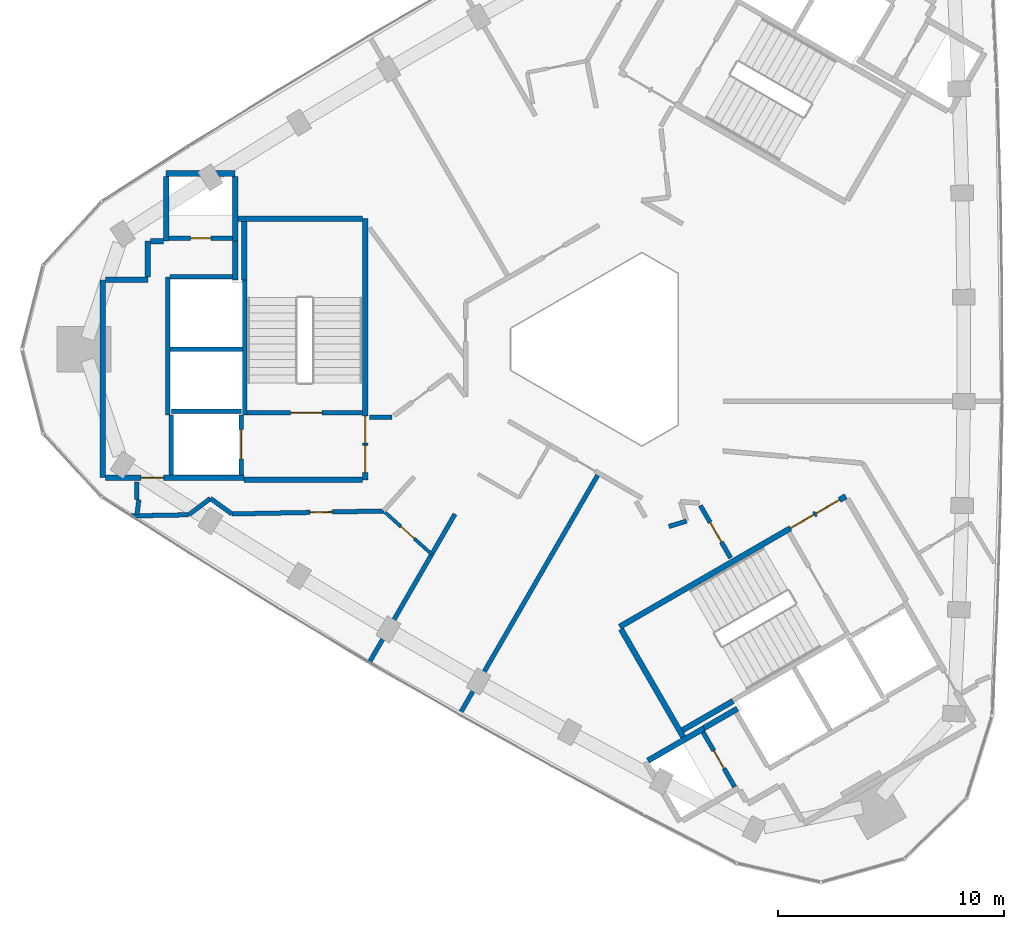
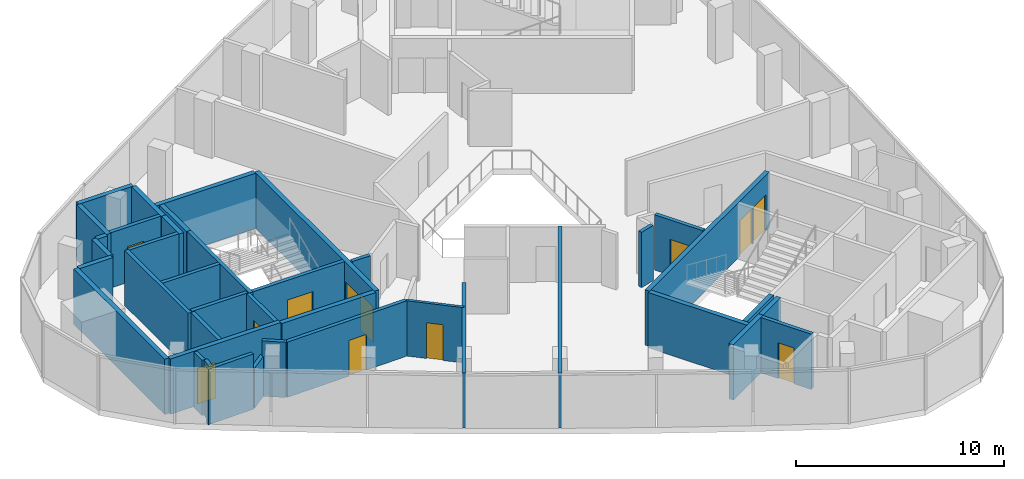
# One storey, part 6 of 10: 40 walls, 12 doors, 12 openings.
"""IFC4 building model written with IfcOpenShell, lengths in metres."""

from ifc_helpers import new_model, si_unit, direction, frame, frame_2d, origin, place, context, subcontext, project, spatial, rectangle, extrude, material, layer, layer_set, type_object, element, fill, save


model = new_model("IFC4")

# Units and contexts
model_context = context("Model", 3, precision=1e-05, world=origin(), true_north=direction((0.0, 1.0)))
body_context = subcontext(model_context, "Body", "Model", "MODEL_VIEW")
ifc_project = project(units=[si_unit("LENGTHUNIT", "METRE"), si_unit("AREAUNIT", "SQUARE_METRE"), si_unit("VOLUMEUNIT", "CUBIC_METRE"), si_unit("PLANEANGLEUNIT", "RADIAN"), si_unit("MASSUNIT", "GRAM", prefix="KILO")], contexts=[model_context])

# Site, building, storey
site_placement = place(None, origin())
site = spatial("IfcSite", under=ifc_project, at=site_placement, CompositionType="ELEMENT")
building_placement = place(site_placement, origin())
building = spatial("IfcBuilding", under=site, at=building_placement, Name="Tamra Quay Hotel Tower", CompositionType="ELEMENT")
storey_placement = place(building_placement, frame((0.0, 0.0, 294.60009765625)))
storey = spatial("IfcBuildingStorey", under=building, at=storey_placement, Name="L74", CompositionType="ELEMENT", Elevation=294.60009765625)

# Walls
ifc_material_1 = material(Name="Concrete M70", Category="concrete")
ifc_layer_1 = layer(ifc_material_1, 0.199951171875)
ifc_layer_set_1 = layer_set([ifc_layer_1], Name="Concrete M70 core wall 200")
wall_type_1 = type_object("IfcWallType", Name="Concrete M70 core wall 200", PredefinedType="SHEAR", material=ifc_layer_set_1)
wall_1_placement = place(storey_placement, frame((-16.162109375, 3.073974609375, 0.0), z_axis=(0.0, 0.0, 1.0), x_axis=(0.0, -1.0, 0.0)))
element("IfcWall", 1, at=wall_1_placement, inside=storey, type_object=wall_type_1, Name="CW2", PredefinedType="SHEAR", context=body_context, shape_type="SweptSolid", body=[
    extrude(rectangle(XDim=5.97412109375, YDim=0.199951171875, at=frame_2d((2.987060546875, 0.0))), origin(), (0.0, 0.0, 1.0), 3.25),
])
wall_2_placement = place(storey_placement, frame((-19.5625, -2.900146484375, 0.0), z_axis=(0.0, 0.0, 1.0), x_axis=(0.0, 1.0, 0.0)))
element("IfcWall", 2, at=wall_2_placement, inside=storey, type_object=wall_type_1, Name="CW2", PredefinedType="SHEAR", context=body_context, shape_type="SweptSolid", body=[
    extrude(rectangle(XDim=6.100341796875, YDim=0.199951171875, at=frame_2d((3.05029296875, 0.0))), origin(), (0.0, 0.0, 1.0), 3.25),
])

# Wall, opening, door
wall_3_placement = place(storey_placement, frame((-10.96337890625, -2.800048828125, 0.0), z_axis=(0.0, 0.0, 1.0), x_axis=(-1.0, 0.0, 0.0)))
wall_3 = element("IfcWall", 3, at=wall_3_placement, inside=storey, type_object=wall_type_1, Name="CW2", PredefinedType="SHEAR", context=body_context, shape_type="SweptSolid", body=[
    extrude(rectangle(XDim=5.097900390625, YDim=0.199951171875, at=frame_2d((2.548828125, 0.0))), origin(), (0.0, 0.0, 1.0), 3.25),
])
opening_1_placement = place(wall_3_placement, frame((1.77392578125, 0.0, 0.0)))
opening_1 = element("IfcOpeningElement", 4, at=opening_1_placement, cuts=wall_3, Name="Opening FD2", PredefinedType="OPENING", context=body_context, shape_type="SweptSolid", body=[
    extrude(rectangle(XDim=1.39990234375, YDim=2.10009765625, at=frame_2d((0.699951171875, 1.050048828125))), frame((0.0, 0.10986328125, 0.0), z_axis=(0.0, -1.0, 0.0), x_axis=(1.0, 0.0, 0.0)), (0.0, 0.0, 1.0), 0.219970703125),
])
ifc_material_2 = material(Name="Core door FD2 1400x2100 RH")
door_type_1 = type_object("IfcDoorType", Name="Core door FD2 1400x2100 RH", OperationType="NOTDEFINED", PredefinedType="DOOR", material=ifc_material_2)
door_1_placement = place(opening_1_placement, origin())
door_1 = element("IfcDoor", 5, at=door_1_placement, inside=storey, type_object=door_type_1, Name="FD2", OperationType="SINGLE_SWING_RIGHT", OverallHeight=2.10009765625, OverallWidth=1.39990234375, PredefinedType="DOOR", context=body_context, shape_type="SweptSolid", body=[
    extrude(rectangle(XDim=1.39990234375, YDim=2.10009765625, at=frame_2d((0.699951171875, 1.050048828125))), frame((0.0, 0.02490234375, 0.0), z_axis=(0.0, -1.0, 0.0), x_axis=(1.0, 0.0, 0.0)), (0.0, 0.0, 1.0), 0.050048828125),
])
fill(opening_1, door_1)

# Wall
wall_4_placement = place(storey_placement, frame((-16.26318359375, 0.0, 0.0), z_axis=(0.0, 0.0, 1.0), x_axis=(-1.0, 0.0, 0.0)))
element("IfcWall", 6, at=wall_4_placement, inside=storey, type_object=wall_type_1, Name="CW2", PredefinedType="SHEAR", context=body_context, shape_type="SweptSolid", body=[
    extrude(rectangle(XDim=3.1982421875, YDim=0.199951171875, at=frame_2d((1.59912109375, 0.0))), origin(), (0.0, 0.0, 1.0), 3.25),
])

# Wall, opening, door
wall_5_placement = place(storey_placement, frame((-19.51123046875, 4.91015625, 0.0), z_axis=(0.0, 0.0, 1.0), x_axis=(1.0, 0.0, 0.0)))
wall_5 = element("IfcWall", 7, at=wall_5_placement, inside=storey, type_object=wall_type_1, Name="CW2", PredefinedType="SHEAR", context=body_context, shape_type="SweptSolid", body=[
    extrude(rectangle(XDim=2.7978515625, YDim=0.199951171875, at=frame_2d((1.39892578125, 0.0))), origin(), (0.0, 0.0, 1.0), 3.25),
])
opening_2_placement = place(wall_5_placement, frame((0.948974609375, 0.0, 0.0)))
opening_2 = element("IfcOpeningElement", 8, at=opening_2_placement, cuts=wall_5, Name="Opening D1", PredefinedType="OPENING", context=body_context, shape_type="SweptSolid", body=[
    extrude(rectangle(XDim=0.89990234375, YDim=2.10009765625, at=frame_2d((0.449951171875, 1.050048828125))), frame((0.0, 0.10986328125, 0.0), z_axis=(0.0, -1.0, 0.0), x_axis=(1.0, 0.0, 0.0)), (0.0, 0.0, 1.0), 0.219970703125),
])
ifc_material_3 = material(Name="Core door D1 900x2100 LH")
door_type_2 = type_object("IfcDoorType", Name="Core door D1 900x2100 LH", OperationType="NOTDEFINED", PredefinedType="DOOR", material=ifc_material_3)
door_2_placement = place(opening_2_placement, origin())
door_2 = element("IfcDoor", 9, at=door_2_placement, inside=storey, type_object=door_type_2, Name="D1", OperationType="SINGLE_SWING_LEFT", OverallHeight=2.10009765625, OverallWidth=0.89990234375, PredefinedType="DOOR", context=body_context, shape_type="SweptSolid", body=[
    extrude(rectangle(XDim=0.89990234375, YDim=2.10009765625, at=frame_2d((0.449951171875, 1.050048828125))), frame((0.0, 0.02490234375, 0.0), z_axis=(0.0, -1.0, 0.0), x_axis=(1.0, 0.0, 0.0)), (0.0, 0.0, 1.0), 0.050048828125),
])
fill(opening_2, door_2)

# Walls
wall_6_placement = place(storey_placement, frame((-19.46240234375, 3.2001953125, 0.0), z_axis=(0.0, 0.0, 1.0), x_axis=(1.0, 0.0, 0.0)))
element("IfcWall", 10, at=wall_6_placement, inside=storey, type_object=wall_type_1, Name="CW2", PredefinedType="SHEAR", context=body_context, shape_type="SweptSolid", body=[
    extrude(rectangle(XDim=2.759033203125, YDim=0.199951171875, at=frame_2d((1.37939453125, 0.0))), origin(), (0.0, 0.0, 1.0), 3.25),
])
wall_7_placement = place(storey_placement, frame((-19.412353515625, -2.75, 0.0), z_axis=(0.0, 0.0, 1.0), x_axis=(1.0, 0.0, 0.0)))
element("IfcWall", 11, at=wall_7_placement, inside=storey, type_object=wall_type_1, Name="CW2", PredefinedType="SHEAR", context=body_context, shape_type="SweptSolid", body=[
    extrude(rectangle(XDim=3.10009765625, YDim=0.199951171875, at=frame_2d((1.550048828125, 0.0))), origin(), (0.0, 0.0, 1.0), 3.25),
])

# Wall, opening, door
wall_8_placement = place(storey_placement, frame((-16.312255859375, -2.898193359375, 0.0), z_axis=(0.0, 0.0, 1.0), x_axis=(0.0, -1.0, 0.0)))
wall_8 = element("IfcWall", 12, at=wall_8_placement, inside=storey, type_object=wall_type_1, Name="CW2", PredefinedType="SHEAR", context=body_context, shape_type="SweptSolid", body=[
    extrude(rectangle(XDim=2.65087890625, YDim=0.199951171875, at=frame_2d((1.325439453125, 0.0))), origin(), (0.0, 0.0, 1.0), 3.25),
])
opening_3_placement = place(wall_8_placement, frame((0.65185546875, 0.0, 0.0)))
opening_3 = element("IfcOpeningElement", 13, at=opening_3_placement, cuts=wall_8, Name="Opening LD", PredefinedType="OPENING", context=body_context, shape_type="SweptSolid", body=[
    extrude(rectangle(XDim=1.300048828125, YDim=2.10009765625, at=frame_2d((0.64990234375, 1.050048828125))), frame((0.0, 0.10986328125, 0.0), z_axis=(0.0, -1.0, 0.0), x_axis=(1.0, 0.0, 0.0)), (0.0, 0.0, 1.0), 0.219970703125),
])
ifc_material_4 = material(Name="Landing door LD 1300 sliding to right")
door_type_3 = type_object("IfcDoorType", Name="Landing door LD 1300 sliding to right", OperationType="NOTDEFINED", PredefinedType="DOOR", material=ifc_material_4)
door_3_placement = place(opening_3_placement, origin())
door_3 = element("IfcDoor", 14, at=door_3_placement, inside=storey, type_object=door_type_3, Name="LD", OperationType="SLIDING_TO_RIGHT", OverallHeight=2.10009765625, OverallWidth=1.300048828125, PredefinedType="DOOR", context=body_context, shape_type="SweptSolid", body=[
    extrude(rectangle(XDim=1.300048828125, YDim=2.10009765625, at=frame_2d((0.64990234375, 1.050048828125))), frame((0.0, 0.02490234375, 0.0), z_axis=(0.0, -1.0, 0.0), x_axis=(1.0, 0.0, 0.0)), (0.0, 0.0, 1.0), 0.050048828125),
])
fill(opening_3, door_3)

# Wall
wall_9_placement = place(storey_placement, frame((-19.412353515625, -5.549072265625, 0.0), z_axis=(0.0, 0.0, 1.0), x_axis=(0.0, 1.0, 0.0)))
element("IfcWall", 15, at=wall_9_placement, inside=storey, type_object=wall_type_1, Name="CW2", PredefinedType="SHEAR", context=body_context, shape_type="SweptSolid", body=[
    extrude(rectangle(XDim=2.65087890625, YDim=0.199951171875, at=frame_2d((1.325439453125, 0.0))), origin(), (0.0, 0.0, 1.0), 3.25),
])

# Wall, opening, door
wall_10_placement = place(storey_placement, frame((5.50341796875, -19.352294921875, 0.0), z_axis=(0.0, 0.0, 1.0), x_axis=(-0.499986818241, 0.866033014143, 0.0)))
wall_10 = element("IfcWall", 16, at=wall_10_placement, inside=storey, type_object=wall_type_1, Name="CW2", PredefinedType="SHEAR", context=body_context, shape_type="SweptSolid", body=[
    extrude(rectangle(XDim=2.7978515625, YDim=0.199951171875, at=frame_2d((1.39892578125, 0.0))), origin(), (0.0, 0.0, 1.0), 3.25),
])
opening_4_placement = place(wall_10_placement, frame((0.948974609375, 0.0, 0.0)))
opening_4 = element("IfcOpeningElement", 17, at=opening_4_placement, cuts=wall_10, Name="Opening D1", PredefinedType="OPENING", context=body_context, shape_type="SweptSolid", body=[
    extrude(rectangle(XDim=0.89990234375, YDim=2.10009765625, at=frame_2d((0.449951171875, 1.050048828125))), frame((0.0, 0.10986328125, 0.0), z_axis=(0.0, -1.0, 0.0), x_axis=(1.0, 0.0, 0.0)), (0.0, 0.0, 1.0), 0.219970703125),
])
ifc_material_5 = material(Name="Core door D1 900x2100 RH")
door_type_4 = type_object("IfcDoorType", Name="Core door D1 900x2100 RH", OperationType="NOTDEFINED", PredefinedType="DOOR", material=ifc_material_5)
door_4_placement = place(opening_4_placement, origin())
door_4 = element("IfcDoor", 18, at=door_4_placement, inside=storey, type_object=door_type_4, Name="D1", OperationType="SINGLE_SWING_RIGHT", OverallHeight=2.10009765625, OverallWidth=0.89990234375, PredefinedType="DOOR", context=body_context, shape_type="SweptSolid", body=[
    extrude(rectangle(XDim=0.89990234375, YDim=2.10009765625, at=frame_2d((0.449951171875, 1.050048828125))), frame((0.0, 0.02490234375, 0.0), z_axis=(0.0, -1.0, 0.0), x_axis=(1.0, 0.0, 0.0)), (0.0, 0.0, 1.0), 0.050048828125),
])
fill(opening_4, door_4)

# Wall, openings, doors
ifc_layer_2 = layer(ifc_material_1, 0.25)
ifc_layer_set_2 = layer_set([ifc_layer_2], Name="Concrete M70 core wall 250")
wall_type_2 = type_object("IfcWallType", Name="Concrete M70 core wall 250", PredefinedType="SHEAR", material=ifc_layer_set_2)
wall_11_placement = place(storey_placement, frame((-10.83740234375, 5.77490234375, 0.0), z_axis=(0.0, 0.0, 1.0), x_axis=(0.0, -1.0, 0.0)))
wall_11 = element("IfcWall", 19, at=wall_11_placement, inside=storey, type_object=wall_type_2, Name="CW1", PredefinedType="SHEAR", context=body_context, shape_type="SweptSolid", body=[
    extrude(rectangle(XDim=11.5498046875, YDim=0.25, at=frame_2d((5.77490234375, 0.0))), origin(), (0.0, 0.0, 1.0), 3.25),
])
opening_5_placement = place(wall_11_placement, frame((10.02490234375, 0.0, 0.0)))
opening_5 = element("IfcOpeningElement", 20, at=opening_5_placement, cuts=wall_11, Name="Opening FD1", PredefinedType="OPENING", context=body_context, shape_type="SweptSolid", body=[
    extrude(rectangle(XDim=1.199951171875, YDim=2.10009765625, at=frame_2d((0.60009765625, 1.050048828125))), frame((0.0, 0.135009765625, 0.0), z_axis=(0.0, -1.0, 0.0), x_axis=(1.0, 0.0, 0.0)), (0.0, 0.0, 1.0), 0.27001953125),
])
opening_6_placement = place(wall_11_placement, frame((8.72509765625, 0.0, 0.0)))
opening_6 = element("IfcOpeningElement", 21, at=opening_6_placement, cuts=wall_11, Name="Opening FD1", PredefinedType="OPENING", context=body_context, shape_type="SweptSolid", body=[
    extrude(rectangle(XDim=1.199951171875, YDim=2.10009765625, at=frame_2d((0.60009765625, 1.050048828125))), frame((0.0, 0.135009765625, 0.0), z_axis=(0.0, -1.0, 0.0), x_axis=(1.0, 0.0, 0.0)), (0.0, 0.0, 1.0), 0.27001953125),
])
ifc_material_6 = material(Name="Core door FD1 1200x2100 LH")
door_type_5 = type_object("IfcDoorType", Name="Core door FD1 1200x2100 LH", OperationType="NOTDEFINED", PredefinedType="DOOR", material=ifc_material_6)
door_5_placement = place(opening_5_placement, origin())
door_5 = element("IfcDoor", 22, at=door_5_placement, inside=storey, type_object=door_type_5, Name="FD1", OperationType="SINGLE_SWING_LEFT", OverallHeight=2.10009765625, OverallWidth=1.199951171875, PredefinedType="DOOR", context=body_context, shape_type="SweptSolid", body=[
    extrude(rectangle(XDim=1.199951171875, YDim=2.10009765625, at=frame_2d((0.60009765625, 1.050048828125))), frame((0.0, 0.02490234375, 0.0), z_axis=(0.0, -1.0, 0.0), x_axis=(1.0, 0.0, 0.0)), (0.0, 0.0, 1.0), 0.050048828125),
])
fill(opening_5, door_5)
ifc_material_7 = material(Name="Core door FD1 1200x2100 RH")
door_type_6 = type_object("IfcDoorType", Name="Core door FD1 1200x2100 RH", OperationType="NOTDEFINED", PredefinedType="DOOR", material=ifc_material_7)
door_6_placement = place(opening_6_placement, origin())
door_6 = element("IfcDoor", 23, at=door_6_placement, inside=storey, type_object=door_type_6, Name="FD1", OperationType="SINGLE_SWING_RIGHT", OverallHeight=2.10009765625, OverallWidth=1.199951171875, PredefinedType="DOOR", context=body_context, shape_type="SweptSolid", body=[
    extrude(rectangle(XDim=1.199951171875, YDim=2.10009765625, at=frame_2d((0.60009765625, 1.050048828125))), frame((0.0, 0.02490234375, 0.0), z_axis=(0.0, -1.0, 0.0), x_axis=(1.0, 0.0, 0.0)), (0.0, 0.0, 1.0), 0.050048828125),
])
fill(opening_6, door_6)

# Wall
wall_12_placement = place(storey_placement, frame((-22.437255859375, -5.675048828125, 0.0), z_axis=(0.0, 0.0, 1.0), x_axis=(0.0, 1.0, 0.0)))
element("IfcWall", 24, at=wall_12_placement, inside=storey, type_object=wall_type_2, Name="CW1", PredefinedType="SHEAR", context=body_context, shape_type="SweptSolid", body=[
    extrude(rectangle(XDim=8.75, YDim=0.25, at=frame_2d((4.375, 0.0))), origin(), (0.0, 0.0, 1.0), 3.25),
])

# Wall, opening, door
wall_13_placement = place(storey_placement, frame((-16.187255859375, -5.675048828125, 0.0), z_axis=(0.0, 0.0, 1.0), x_axis=(-1.0, 0.0, 0.0)))
wall_13 = element("IfcWall", 25, at=wall_13_placement, inside=storey, type_object=wall_type_2, Name="CW1", PredefinedType="SHEAR", context=body_context, shape_type="SweptSolid", body=[
    extrude(rectangle(XDim=6.12451171875, YDim=0.25, at=frame_2d((3.062255859375, 0.0))), origin(), (0.0, 0.0, 1.0), 3.25),
])
opening_7_placement = place(wall_13_placement, frame((3.562744140625, 0.0, 0.0)))
opening_7 = element("IfcOpeningElement", 26, at=opening_7_placement, cuts=wall_13, Name="Opening FD3", PredefinedType="OPENING", context=body_context, shape_type="SweptSolid", body=[
    extrude(rectangle(XDim=1.0, YDim=2.10009765625, at=frame_2d((0.5, 1.050048828125))), frame((0.0, 0.135009765625, 0.0), z_axis=(0.0, -1.0, 0.0), x_axis=(1.0, 0.0, 0.0)), (0.0, 0.0, 1.0), 0.27001953125),
])
ifc_material_8 = material(Name="Core door FD3 1000x2100 LH")
door_type_7 = type_object("IfcDoorType", Name="Core door FD3 1000x2100 LH", OperationType="NOTDEFINED", PredefinedType="DOOR", material=ifc_material_8)
door_7_placement = place(opening_7_placement, origin())
door_7 = element("IfcDoor", 27, at=door_7_placement, inside=storey, type_object=door_type_7, Name="FD3", OperationType="SINGLE_SWING_LEFT", OverallHeight=2.10009765625, OverallWidth=1.0, PredefinedType="DOOR", context=body_context, shape_type="SweptSolid", body=[
    extrude(rectangle(XDim=1.0, YDim=2.10009765625, at=frame_2d((0.5, 1.050048828125))), frame((0.0, 0.02490234375, 0.0), z_axis=(0.0, -1.0, 0.0), x_axis=(1.0, 0.0, 0.0)), (0.0, 0.0, 1.0), 0.050048828125),
])
fill(opening_7, door_7)

# Walls
wall_14_placement = place(storey_placement, frame((-10.962646484375, -5.77490234375, 0.0), z_axis=(0.0, 0.0, 1.0), x_axis=(-1.0, 0.0, 0.0)))
element("IfcWall", 28, at=wall_14_placement, inside=storey, type_object=wall_type_2, Name="CW1", PredefinedType="SHEAR", context=body_context, shape_type="SweptSolid", body=[
    extrude(rectangle(XDim=5.224609375, YDim=0.25, at=frame_2d((2.6123046875, 0.0))), origin(), (0.0, 0.0, 1.0), 3.25),
])
wall_15_placement = place(storey_placement, frame((-16.47216796875, 5.77490234375, 0.0), z_axis=(0.0, 0.0, 1.0), x_axis=(1.0, 0.0, 0.0)))
element("IfcWall", 29, at=wall_15_placement, inside=storey, type_object=wall_type_2, Name="CW1", PredefinedType="SHEAR", context=body_context, shape_type="SweptSolid", body=[
    extrude(rectangle(XDim=5.509521484375, YDim=0.25, at=frame_2d((2.7548828125, 0.0))), origin(), (0.0, 0.0, 1.0), 3.25),
])
wall_16_placement = place(storey_placement, frame((-19.63720703125, 7.77490234375, 0.0), z_axis=(0.0, 0.0, 1.0), x_axis=(1.0, 0.0, 0.0)))
element("IfcWall", 30, at=wall_16_placement, inside=storey, type_object=wall_type_2, Name="CW1", PredefinedType="SHEAR", context=body_context, shape_type="SweptSolid", body=[
    extrude(rectangle(XDim=3.0498046875, YDim=0.25, at=frame_2d((1.52490234375, 0.0))), origin(), (0.0, 0.0, 1.0), 3.25),
])
for number, where, z_axis, x_axis, name in (
    (31, (-16.58740234375, 7.649658203125, 0.0), (0.0, 0.0, 1.0), (0.0, -1.0, 0.0), "CW1"),
    (32, (-19.63720703125, 4.784912109375, 0.0), (0.0, 0.0, 1.0), (0.0, 1.0, 0.0), "CW1"),
):
    element("IfcWall", number, at=place(storey_placement, frame(where, z_axis=z_axis, x_axis=x_axis)), inside=storey, type_object=wall_type_2, Name=name, PredefinedType="SHEAR", context=body_context, shape_type="SweptSolid", body=[
        extrude(rectangle(XDim=2.86474609375, YDim=0.25, at=frame_2d((1.432373046875, 0.0))), origin(), (0.0, 0.0, 1.0), 3.25),
    ])
wall_17_placement = place(storey_placement, frame((-16.187255859375, 3.074951171875, 0.0), z_axis=(0.0, 0.0, 1.0), x_axis=(0.0, 1.0, 0.0)))
element("IfcWall", 33, at=wall_17_placement, inside=storey, type_object=wall_type_2, Name="CW1", PredefinedType="SHEAR", context=body_context, shape_type="SweptSolid", body=[
    extrude(rectangle(XDim=2.57470703125, YDim=0.25, at=frame_2d((1.287353515625, 0.0))), origin(), (0.0, 0.0, 1.0), 3.25),
])
wall_18_placement = place(storey_placement, frame((-22.311767578125, 3.074951171875, 0.0), z_axis=(0.0, 0.0, 1.0), x_axis=(1.0, 0.0, 0.0)))
element("IfcWall", 34, at=wall_18_placement, inside=storey, type_object=wall_type_2, Name="CW1", PredefinedType="SHEAR", context=body_context, shape_type="SweptSolid", body=[
    extrude(rectangle(XDim=1.864501953125, YDim=0.25, at=frame_2d((0.93212890625, 0.0))), origin(), (0.0, 0.0, 1.0), 3.25),
])
wall_19_placement = place(storey_placement, frame((-16.577392578125, 4.784912109375, 0.0), z_axis=(0.0, 0.0, 1.0), x_axis=(0.0, -1.0, 0.0)))
element("IfcWall", 35, at=wall_19_placement, inside=storey, type_object=wall_type_2, Name="CW1", PredefinedType="SHEAR", context=body_context, shape_type="SweptSolid", body=[
    extrude(rectangle(XDim=1.7099609375, YDim=0.25, at=frame_2d((0.85498046875, 0.0))), origin(), (0.0, 0.0, 1.0), 3.25),
])
wall_20_placement = place(storey_placement, frame((-20.447265625, 3.200439453125, 0.0), z_axis=(0.0, 0.0, 1.0), x_axis=(0.0, 1.0, 0.0)))
element("IfcWall", 36, at=wall_20_placement, inside=storey, type_object=wall_type_2, Name="CW1", PredefinedType="SHEAR", context=body_context, shape_type="SweptSolid", body=[
    extrude(rectangle(XDim=1.58447265625, YDim=0.25, at=frame_2d((0.792236328125, 0.0))), origin(), (0.0, 0.0, 1.0), 3.25),
])
wall_21_placement = place(storey_placement, frame((-20.32177734375, 4.784912109375, 0.0), z_axis=(0.0, 0.0, 1.0), x_axis=(1.0, 0.0, 0.0)))
element("IfcWall", 37, at=wall_21_placement, inside=storey, type_object=wall_type_2, Name="CW1", PredefinedType="SHEAR", context=body_context, shape_type="SweptSolid", body=[
    extrude(rectangle(XDim=0.55908203125, YDim=0.25, at=frame_2d((0.279541015625, 0.0))), origin(), (0.0, 0.0, 1.0), 3.25),
])

# Wall, openings, doors
wall_22_placement = place(storey_placement, frame((0.417236328125, -12.27294921875, 0.0), z_axis=(0.0, 0.0, 1.0), x_axis=(0.866021906294, 0.500006057782, 0.0)))
wall_22 = element("IfcWall", 38, at=wall_22_placement, inside=storey, type_object=wall_type_2, Name="CW1", PredefinedType="SHEAR", context=body_context, shape_type="SweptSolid", body=[
    extrude(rectangle(XDim=11.550048828125, YDim=0.25, at=frame_2d((5.77490234375, 0.0))), origin(), (0.0, 0.0, 1.0), 3.25),
])
opening_8_placement = place(wall_22_placement, frame((10.024658203125, 0.0, 0.0)))
opening_8 = element("IfcOpeningElement", 39, at=opening_8_placement, cuts=wall_22, Name="Opening FD1", PredefinedType="OPENING", context=body_context, shape_type="SweptSolid", body=[
    extrude(rectangle(XDim=1.199951171875, YDim=2.10009765625, at=frame_2d((0.60009765625, 1.050048828125))), frame((0.0, 0.135009765625, 0.0), z_axis=(0.0, -1.0, 0.0), x_axis=(1.0, 0.0, 0.0)), (0.0, 0.0, 1.0), 0.27001953125),
])
opening_9_placement = place(wall_22_placement, frame((8.724609375, 0.0, 0.0)))
opening_9 = element("IfcOpeningElement", 40, at=opening_9_placement, cuts=wall_22, Name="Opening FD1", PredefinedType="OPENING", context=body_context, shape_type="SweptSolid", body=[
    extrude(rectangle(XDim=1.199951171875, YDim=2.10009765625, at=frame_2d((0.60009765625, 1.050048828125))), frame((0.0, 0.135009765625, 0.0), z_axis=(0.0, -1.0, 0.0), x_axis=(1.0, 0.0, 0.0)), (0.0, 0.0, 1.0), 0.27001953125),
])
door_8_placement = place(opening_8_placement, origin())
door_8 = element("IfcDoor", 41, at=door_8_placement, inside=storey, type_object=door_type_5, Name="FD1", OperationType="SINGLE_SWING_LEFT", OverallHeight=2.10009765625, OverallWidth=1.199951171875, PredefinedType="DOOR", context=body_context, shape_type="SweptSolid", body=[
    extrude(rectangle(XDim=1.199951171875, YDim=2.10009765625, at=frame_2d((0.60009765625, 1.050048828125))), frame((0.0, 0.02490234375, 0.0), z_axis=(0.0, -1.0, 0.0), x_axis=(1.0, 0.0, 0.0)), (0.0, 0.0, 1.0), 0.050048828125),
])
fill(opening_8, door_8)
door_9_placement = place(opening_9_placement, origin())
door_9 = element("IfcDoor", 42, at=door_9_placement, inside=storey, type_object=door_type_6, Name="FD1", OperationType="SINGLE_SWING_RIGHT", OverallHeight=2.10009765625, OverallWidth=1.199951171875, PredefinedType="DOOR", context=body_context, shape_type="SweptSolid", body=[
    extrude(rectangle(XDim=1.199951171875, YDim=2.10009765625, at=frame_2d((0.60009765625, 1.050048828125))), frame((0.0, 0.02490234375, 0.0), z_axis=(0.0, -1.0, 0.0), x_axis=(1.0, 0.0, 0.0)), (0.0, 0.0, 1.0), 0.050048828125),
])
fill(opening_9, door_9)

# Walls
wall_23_placement = place(storey_placement, frame((3.23486328125, -17.15283203125, 0.0), z_axis=(0.0, 0.0, 1.0), x_axis=(-0.500008851346, 0.866020293397, 0.0)))
element("IfcWall", 43, at=wall_23_placement, inside=storey, type_object=wall_type_2, Name="CW1", PredefinedType="SHEAR", context=body_context, shape_type="SweptSolid", body=[
    extrude(rectangle(XDim=5.509765625, YDim=0.25, at=frame_2d((2.7548828125, 0.0))), origin(), (0.0, 0.0, 1.0), 3.25),
])
wall_24_placement = place(storey_placement, frame((1.6689453125, -18.189697265625, 0.0), z_axis=(0.0, 0.0, 1.0), x_axis=(0.866042235819, 0.499970844928, 0.0)))
element("IfcWall", 44, at=wall_24_placement, inside=storey, type_object=wall_type_2, Name="CW1", PredefinedType="SHEAR", context=body_context, shape_type="SweptSolid", body=[
    extrude(rectangle(XDim=2.864501953125, YDim=0.25, at=frame_2d((1.43212890625, 0.0))), origin(), (0.0, 0.0, 1.0), 3.25),
])
wall_25_placement = place(storey_placement, frame((5.4306640625, -15.55615234375, 0.0), z_axis=(0.0, 0.0, 1.0), x_axis=(-0.866022940537, -0.500004266446, 0.0)))
element("IfcWall", 45, at=wall_25_placement, inside=storey, type_object=wall_type_2, Name="CW1", PredefinedType="SHEAR", context=body_context, shape_type="SweptSolid", body=[
    extrude(rectangle(XDim=2.57470703125, YDim=0.25, at=frame_2d((1.287353515625, 0.0))), origin(), (0.0, 0.0, 1.0), 3.25),
])
wall_26_placement = place(storey_placement, frame((4.144775390625, -16.748779296875, 0.0), z_axis=(0.0, 0.0, 1.0), x_axis=(0.866038183914, 0.499977863513, 0.0)))
element("IfcWall", 46, at=wall_26_placement, inside=storey, type_object=wall_type_2, Name="CW1", PredefinedType="SHEAR", context=body_context, shape_type="SweptSolid", body=[
    extrude(rectangle(XDim=1.7099609375, YDim=0.25, at=frame_2d((0.85498046875, 0.0))), origin(), (0.0, 0.0, 1.0), 3.25),
])
ifc_material_9 = material(Name="Partition corridor wall")
ifc_layer_3 = layer(ifc_material_9, 0.199951171875)
ifc_layer_set_3 = layer_set([ifc_layer_3], Name="Partition corridor wall")
wall_type_3 = type_object("IfcWallType", Name="Partition corridor wall", PredefinedType="PARTITIONING", material=ifc_layer_set_3)
wall_27_placement = place(storey_placement, frame((-20.949951171875, -6.64990234375, 0.0), z_axis=(0.0, 0.0, 1.0), x_axis=(0.0, 1.0, 0.0)))
element("IfcWall", 47, at=wall_27_placement, inside=storey, type_object=wall_type_3, Name="W-C", PredefinedType="PARTITIONING", context=body_context, shape_type="SweptSolid", body=[
    extrude(rectangle(XDim=0.789794921875, YDim=0.199951171875, at=frame_2d((0.39501953125, 0.0))), origin(), (0.0, 0.0, 1.0), 3.25),
])
wall_28_placement = place(storey_placement, frame((-20.928955078125, -7.304931640625, 0.0), z_axis=(0.0, 0.0, 1.0), x_axis=(0.125718385971, 0.992065969293, 0.0)))
element("IfcWall", 48, at=wall_28_placement, inside=storey, type_object=wall_type_3, Name="W-C", PredefinedType="PARTITIONING", context=body_context, shape_type="SweptSolid", body=[
    extrude(rectangle(XDim=0.66015625, YDim=0.199951171875, at=frame_2d((0.330078125, 0.0))), origin(), (0.0, 0.0, 1.0), 3.25),
])
wall_29_placement = place(storey_placement, frame((-21.177001953125, -7.368896484375, 0.0), z_axis=(0.0, 0.0, 1.0), x_axis=(0.999808930271, 0.019547453804, 0.0)))
element("IfcWall", 49, at=wall_29_placement, inside=storey, type_object=wall_type_3, Name="W-C", PredefinedType="PARTITIONING", context=body_context, shape_type="SweptSolid", body=[
    extrude(rectangle(XDim=2.535400390625, YDim=0.199951171875, at=frame_2d((1.267578125, 0.0))), origin(), (0.0, 0.0, 1.0), 3.25),
])
wall_30_placement = place(storey_placement, frame((-18.64208984375, -7.319091796875, 0.0), z_axis=(0.0, 0.0, 1.0), x_axis=(0.798707882989, 0.601718968998, 0.0)))
element("IfcWall", 50, at=wall_30_placement, inside=storey, type_object=wall_type_3, Name="W-C", PredefinedType="PARTITIONING", context=body_context, shape_type="SweptSolid", body=[
    extrude(rectangle(XDim=1.203369140625, YDim=0.199951171875, at=frame_2d((0.6015625, 0.0))), origin(), (0.0, 0.0, 1.0), 2.349853515625),
])
wall_31_placement = place(storey_placement, frame((-17.680908203125, -6.594970703125, 0.0), z_axis=(0.0, 0.0, 1.0), x_axis=(0.810123213102, -0.586259652026, 0.0)))
element("IfcWall", 51, at=wall_31_placement, inside=storey, type_object=wall_type_3, Name="W-C", PredefinedType="PARTITIONING", context=body_context, shape_type="SweptSolid", body=[
    extrude(rectangle(XDim=1.170166015625, YDim=0.199951171875, at=frame_2d((0.5849609375, 0.0))), origin(), (0.0, 0.0, 1.0), 3.25),
])

# Wall, opening, door
wall_32_placement = place(storey_placement, frame((-16.73193359375, -7.281982421875, 0.0), z_axis=(0.0, 0.0, 1.0), x_axis=(0.999809119854, 0.019537754635, 0.0)))
wall_32 = element("IfcWall", 52, at=wall_32_placement, inside=storey, type_object=wall_type_3, Name="W-C", PredefinedType="PARTITIONING", context=body_context, shape_type="SweptSolid", body=[
    extrude(rectangle(XDim=6.710205078125, YDim=0.199951171875, at=frame_2d((3.35498046875, 0.0))), origin(), (0.0, 0.0, 1.0), 3.25),
])
opening_10_placement = place(wall_32_placement, frame((3.451171875, 0.0, 0.0)))
opening_10 = element("IfcOpeningElement", 53, at=opening_10_placement, cuts=wall_32, Name="Opening L74-D009", PredefinedType="OPENING", context=body_context, shape_type="SweptSolid", body=[
    extrude(rectangle(XDim=1.0, YDim=2.10009765625, at=frame_2d((0.5, 1.050048828125))), frame((0.0, 0.10986328125, 0.0), z_axis=(0.0, -1.0, 0.0), x_axis=(1.0, 0.0, 0.0)), (0.0, 0.0, 1.0), 0.219970703125),
])
ifc_material_10 = material(Name="Door guest room 1000x2100")
door_type_8 = type_object("IfcDoorType", Name="Door guest room 1000x2100", OperationType="NOTDEFINED", PredefinedType="DOOR", material=ifc_material_10)
door_10_placement = place(opening_10_placement, frame((1.0, 0.0, 0.0), z_axis=(0.0, 0.0, 1.0), x_axis=(-1.0, 0.0, 0.0)))
door_10 = element("IfcDoor", 54, at=door_10_placement, inside=storey, type_object=door_type_8, Name="L74-D009", OperationType="SINGLE_SWING_LEFT", OverallHeight=2.10009765625, OverallWidth=1.0, PredefinedType="DOOR", context=body_context, shape_type="SweptSolid", body=[
    extrude(rectangle(XDim=1.0, YDim=2.10009765625, at=frame_2d((0.5, 1.050048828125))), frame((0.0, 0.02490234375, 0.0), z_axis=(0.0, -1.0, 0.0), x_axis=(1.0, 0.0, 0.0)), (0.0, 0.0, 1.0), 0.050048828125),
])
fill(opening_10, door_10)

# Walls
wall_33_placement = place(storey_placement, frame((-10.65234375, -3.0, 0.0), z_axis=(0.0, 0.0, 1.0), x_axis=(1.0, 0.0, 0.0)))
element("IfcWall", 55, at=wall_33_placement, inside=storey, type_object=wall_type_3, Name="W-C", PredefinedType="PARTITIONING", context=body_context, shape_type="SweptSolid", body=[
    extrude(rectangle(XDim=0.994384765625, YDim=0.199951171875, at=frame_2d((0.4970703125, 0.0))), origin(), (0.0, 0.0, 1.0), 3.25),
])
wall_34_placement = place(storey_placement, frame((2.591064453125, -7.8369140625, 0.0), z_axis=(0.0, 0.0, 1.0), x_axis=(0.956974070788, 0.290173444409, 0.0)))
element("IfcWall", 56, at=wall_34_placement, inside=storey, type_object=wall_type_3, Name="W-C", PredefinedType="PARTITIONING", context=body_context, shape_type="SweptSolid", body=[
    extrude(rectangle(XDim=0.816162109375, YDim=0.199951171875, at=frame_2d((0.408203125, 0.0))), origin(), (0.0, 0.0, 1.0), 3.25),
])

# Wall, opening, door
wall_35_placement = place(storey_placement, frame((3.987060546875, -6.910888671875, 0.0), z_axis=(0.0, 0.0, 1.0), x_axis=(0.499458942258, -0.866337558345, 0.0)))
wall_35 = element("IfcWall", 57, at=wall_35_placement, inside=storey, type_object=wall_type_3, Name="W-C", PredefinedType="PARTITIONING", context=body_context, shape_type="SweptSolid", body=[
    extrude(rectangle(XDim=2.673828125, YDim=0.199951171875, at=frame_2d((1.3369140625, 0.0))), origin(), (0.0, 0.0, 1.0), 3.25),
])
opening_11_placement = place(wall_35_placement, frame((0.8671875, 0.0, 0.0)))
opening_11 = element("IfcOpeningElement", 58, at=opening_11_placement, cuts=wall_35, Name="Opening L74-D013", PredefinedType="OPENING", context=body_context, shape_type="SweptSolid", body=[
    extrude(rectangle(XDim=1.0, YDim=2.10009765625, at=frame_2d((0.5, 1.050048828125))), frame((0.0, 0.10986328125, 0.0), z_axis=(0.0, -1.0, 0.0), x_axis=(1.0, 0.0, 0.0)), (0.0, 0.0, 1.0), 0.219970703125),
])
door_11_placement = place(opening_11_placement, frame((1.0, 0.0, 0.0), z_axis=(0.0, 0.0, 1.0), x_axis=(-1.0, 0.0, 0.0)))
door_11 = element("IfcDoor", 59, at=door_11_placement, inside=storey, type_object=door_type_8, Name="L74-D013", OperationType="SINGLE_SWING_LEFT", OverallHeight=2.10009765625, OverallWidth=1.0, PredefinedType="DOOR", context=body_context, shape_type="SweptSolid", body=[
    extrude(rectangle(XDim=1.0, YDim=2.10009765625, at=frame_2d((0.5, 1.050048828125))), frame((0.0, 0.02490234375, 0.0), z_axis=(0.0, -1.0, 0.0), x_axis=(1.0, 0.0, 0.0)), (0.0, 0.0, 1.0), 0.050048828125),
])
fill(opening_11, door_11)

ifc_material_11 = material(Name="Partition en-suite wall")
ifc_layer_4 = layer(ifc_material_11, 0.14990234375)
ifc_layer_set_4 = layer_set([ifc_layer_4], Name="Partition en-suite wall")
wall_type_4 = type_object("IfcWallType", Name="Partition en-suite wall", PredefinedType="PARTITIONING", material=ifc_layer_set_4)
wall_36_placement = place(storey_placement, frame((-10.02294921875, -7.15087890625, 0.0), z_axis=(0.0, 0.0, 1.0), x_axis=(0.743463699468, -0.668776291127, 0.0)))
wall_36 = element("IfcWall", 60, at=wall_36_placement, inside=storey, type_object=wall_type_4, Name="W-E", PredefinedType="PARTITIONING", context=body_context, shape_type="SweptSolid", body=[
    extrude(rectangle(XDim=2.863525390625, YDim=0.14990234375, at=frame_2d((1.431640625, 0.0))), origin(), (0.0, 0.0, 1.0), 3.25),
])
opening_12_placement = place(wall_36_placement, frame((1.03173828125, 0.0, 0.0)))
opening_12 = element("IfcOpeningElement", 61, at=opening_12_placement, cuts=wall_36, Name="Opening L74-D010", PredefinedType="OPENING", context=body_context, shape_type="SweptSolid", body=[
    extrude(rectangle(XDim=0.800048828125, YDim=2.10009765625, at=frame_2d((0.39990234375, 1.050048828125))), frame((0.0, 0.0849609375, 0.0), z_axis=(0.0, -1.0, 0.0), x_axis=(1.0, 0.0, 0.0)), (0.0, 0.0, 1.0), 0.169921875),
])
ifc_material_12 = material(Name="Door en-suite 800x2100")
door_type_9 = type_object("IfcDoorType", Name="Door en-suite 800x2100", OperationType="NOTDEFINED", PredefinedType="DOOR", material=ifc_material_12)
door_12_placement = place(opening_12_placement, frame((0.800048828125, 0.0, 0.0), z_axis=(0.0, 0.0, 1.0), x_axis=(-1.0, 0.0, 0.0)))
door_12 = element("IfcDoor", 62, at=door_12_placement, inside=storey, type_object=door_type_9, Name="L74-D010", OperationType="SINGLE_SWING_LEFT", OverallHeight=2.10009765625, OverallWidth=0.800048828125, PredefinedType="DOOR", context=body_context, shape_type="SweptSolid", body=[
    extrude(rectangle(XDim=0.800048828125, YDim=2.10009765625, at=frame_2d((0.39990234375, 1.050048828125))), frame((0.0, 0.02490234375, 0.0), z_axis=(0.0, -1.0, 0.0), x_axis=(1.0, 0.0, 0.0)), (0.0, 0.0, 1.0), 0.050048828125),
])
fill(opening_12, door_12)

# Walls
ifc_material_13 = material(Name="Partition party wall")
ifc_layer_5 = layer(ifc_material_13, 0.199951171875)
ifc_layer_set_5 = layer_set([ifc_layer_5], Name="Partition party wall")
wall_type_5 = type_object("IfcWallType", Name="Partition party wall", PredefinedType="PARTITIONING", material=ifc_layer_set_5)
wall_37_placement = place(storey_placement, frame((-10.6591796875, -13.85595703125, 0.0), z_axis=(0.0, 0.0, 1.0), x_axis=(0.49995742368, 0.866049983839, 0.0)))
element("IfcWall", 63, at=wall_37_placement, inside=storey, type_object=wall_type_5, Name="W-P", PredefinedType="PARTITIONING", context=body_context, shape_type="SweptSolid", body=[
    extrude(rectangle(XDim=7.585205078125, YDim=0.199951171875, at=frame_2d((3.79248046875, 0.0))), origin(), (0.0, 0.0, 1.0), 3.25),
])
wall_38_placement = place(storey_placement, frame((-6.669677734375, -16.1591796875, 0.0), z_axis=(0.0, 0.0, 1.0), x_axis=(0.500017276951, 0.866015428702, 0.0)))
element("IfcWall", 64, at=wall_38_placement, inside=storey, type_object=wall_type_5, Name="W-P", PredefinedType="PARTITIONING", context=body_context, shape_type="SweptSolid", body=[
    extrude(rectangle(XDim=12.3291015625, YDim=0.199951171875, at=frame_2d((6.16455078125, 0.0))), origin(), (0.0, 0.0, 1.0), 3.25),
])

save(model, "model.ifc")
